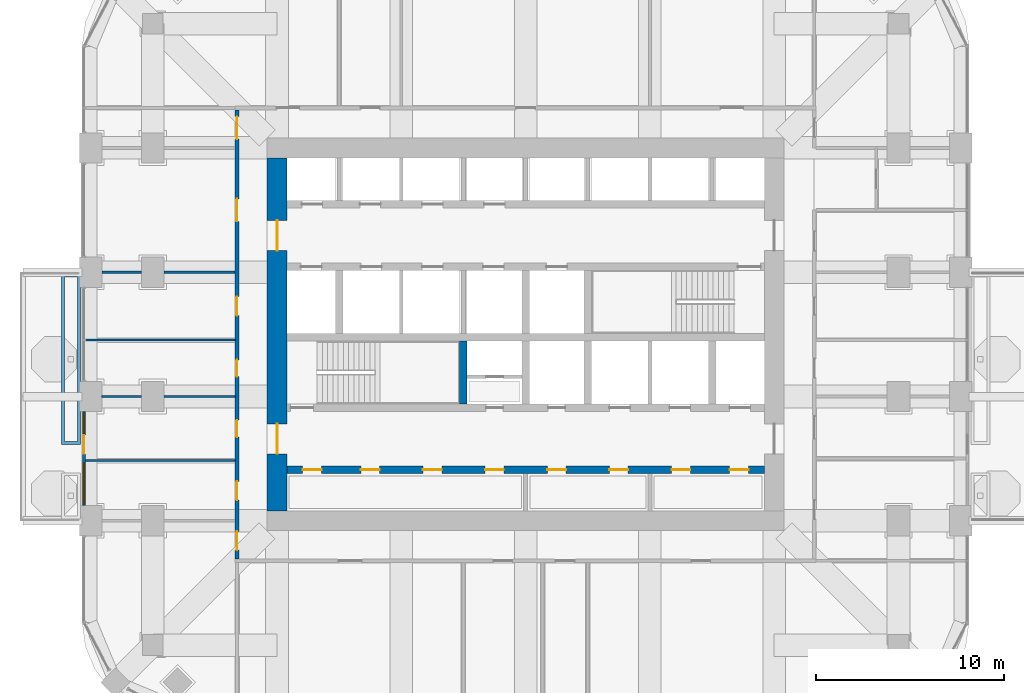
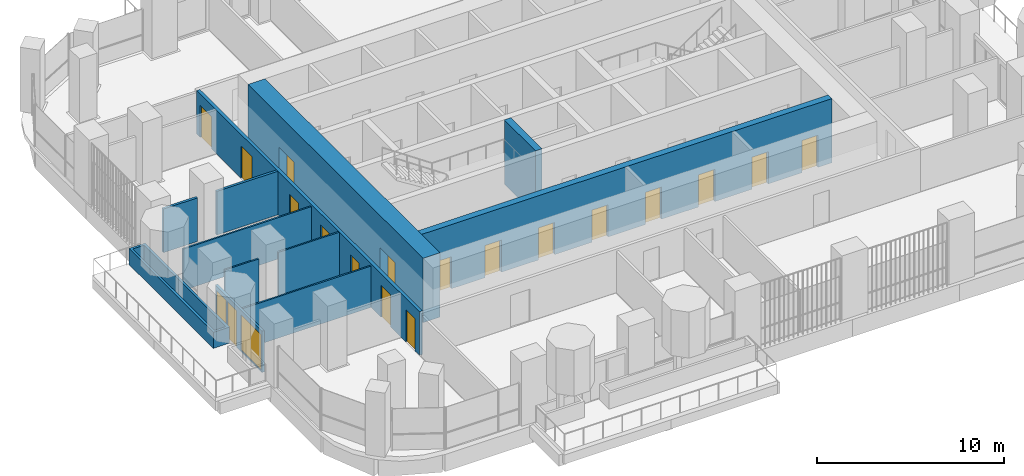
# One storey, part 12 of 20: 18 doors, 12 walls, 2 windows, 20 openings.
"""IFC4 building model written with IfcOpenShell, lengths in metres."""

import ifcopenshell
import ifcopenshell.guid

model = None  # the IFC model being written
_history = None  # IfcOwnerHistory: only IFC2X3 demands one
_inside = {}  # id of a spatial element -> (the spatial element, [elements in it])
_under = {}  # id of a project, library or spatial element -> (it, [spatial elements below it])
_declared = {}  # id of a project -> (the project, [libraries it declares])
_typed = {}  # id of a type object -> (the type object, [elements of that type])
_made_of = {}  # id of a material, layer set ... -> (it, [elements and type objects made of it])


def new_model(schema):
    """Start an empty IFC model of exactly this schema.

    Asked for "IFC4X3", IfcOpenShell would pick the latest addendum, in which some entities
    have other attributes; the version numbers below select the first issue.
    IFC2X3 requires an IfcOwnerHistory on every rooted entity: one is made here for all.
    """
    global model, _history
    if schema == "IFC4X3":
        model = ifcopenshell.file(schema_version=(4, 3, 0, 0))
    else:
        model = ifcopenshell.file(schema=schema)
    _inside.clear()
    _under.clear()
    _declared.clear()
    _typed.clear()
    _made_of.clear()
    _history = None
    if model.schema == "IFC2X3":
        org = make("IfcOrganization", Name="unknown")
        user = make(
            "IfcPersonAndOrganization",
            ThePerson=make("IfcPerson", FamilyName="unknown"),
            TheOrganization=org,
        )
        app = make(
            "IfcApplication",
            ApplicationDeveloper=org,
            Version="unknown",
            ApplicationFullName="unknown",
            ApplicationIdentifier="unknown",
        )
        _history = make(
            "IfcOwnerHistory",
            OwningUser=user,
            OwningApplication=app,
            ChangeAction="ADDED",
            CreationDate=0,
        )
    return model


def make(cls, **values):
    """One entity of the class cls with the attributes given. An attribute that is None is left unset."""
    return model.create_entity(
        cls, **{name: value for name, value in values.items() if value is not None}
    )


def rooted(cls, **values):
    """An entity with a GlobalId (a new one), such as an element, a storey or a relation."""
    return make(cls, GlobalId=ifcopenshell.guid.new(), OwnerHistory=_history, **values)


def si_unit(unit_type, name, prefix=None):
    """IfcSIUnit, for example si_unit("LENGTHUNIT", "METRE", prefix="MILLI")."""
    return make("IfcSIUnit", UnitType=unit_type, Prefix=prefix, Name=name)


def assignment(units):
    """IfcUnitAssignment: the units of a project."""
    return None if units is None else make("IfcUnitAssignment", Units=units)


def point(xyz):
    """IfcCartesianPoint."""
    return None if xyz is None else make("IfcCartesianPoint", Coordinates=xyz)


def direction(xyz):
    """IfcDirection."""
    return None if xyz is None else make("IfcDirection", DirectionRatios=xyz)


def frame(location, z_axis=None, x_axis=None):
    """IfcAxis2Placement3D, a coordinate frame: its origin and axes. An axis left out is left unset."""
    return make(
        "IfcAxis2Placement3D",
        Location=point(location),
        Axis=direction(z_axis),
        RefDirection=direction(x_axis),
    )


def frame_2d(location, x_axis=None):
    """IfcAxis2Placement2D, a coordinate frame in the plane: its origin and x axis."""
    return make(
        "IfcAxis2Placement2D", Location=point(location), RefDirection=direction(x_axis)
    )


def origin():
    """The frame at (0, 0, 0) with its axes left unset."""
    return frame((0.0, 0.0, 0.0))


def place(relative_to, where):
    """IfcLocalPlacement: puts the frame where relative to a parent placement (None: the world)."""
    return make(
        "IfcLocalPlacement", PlacementRelTo=relative_to, RelativePlacement=where
    )


def context(
    kind, dimensions, precision=None, world=None, true_north=None, identifier=None
):
    """IfcGeometricRepresentationContext, for example the 3D "Model" context."""
    return make(
        "IfcGeometricRepresentationContext",
        ContextIdentifier=identifier,
        ContextType=kind,
        CoordinateSpaceDimension=dimensions,
        Precision=precision,
        WorldCoordinateSystem=world,
        TrueNorth=true_north,
    )


def subcontext(parent, identifier, kind, view, scale=None):
    """IfcGeometricRepresentationSubContext, for example "Body" below "Model"."""
    return make(
        "IfcGeometricRepresentationSubContext",
        ContextIdentifier=identifier,
        ContextType=kind,
        ParentContext=parent,
        TargetScale=scale,
        TargetView=view,
    )


def project(units=None, contexts=None):
    """IfcProject with its units and contexts."""
    return rooted(
        "IfcProject",
        Name="project",
        RepresentationContexts=contexts,
        UnitsInContext=assignment(units),
    )


def spatial(cls, under=None, at=None, **own):
    """A site, building, storey or space (cls), placed at a placement, below another one or the project."""
    s = rooted(cls, ObjectPlacement=at, **own)
    if under is not None:
        _under.setdefault(under.id(), (under, []))[1].append(s)
    return s


def polyline(points):
    """IfcPolyline through the points."""
    return make("IfcPolyline", Points=[point(p) for p in points])


def profile(cls, at=None, kind="AREA", **sizes):
    """A parametric profile (cls). Its sizes go by their IFC names, for example OverallWidth=200.0."""
    return make(cls, ProfileType=kind, Position=at, **sizes)


def rectangle(**sizes):
    """IfcRectangleProfileDef."""
    return profile("IfcRectangleProfileDef", **sizes)


def outline(outer, holes=None, kind="AREA"):
    """IfcArbitraryClosedProfileDef: a profile drawn as a closed curve; with holes, ...WithVoids."""
    if holes is None:
        return make("IfcArbitraryClosedProfileDef", ProfileType=kind, OuterCurve=outer)
    return make(
        "IfcArbitraryProfileDefWithVoids",
        ProfileType=kind,
        OuterCurve=outer,
        InnerCurves=holes,
    )


def extrude(swept, where, along, depth):
    """IfcExtrudedAreaSolid: the profile swept, set in the frame where, extruded along a direction by depth."""
    return make(
        "IfcExtrudedAreaSolid",
        SweptArea=swept,
        Position=where,
        ExtrudedDirection=direction(along),
        Depth=depth,
    )


def shape(context_of_items, identifier, shape_type, items):
    """IfcShapeRepresentation: the items that make up one representation, for example the "Body"."""
    return make(
        "IfcShapeRepresentation",
        ContextOfItems=context_of_items,
        RepresentationIdentifier=identifier,
        RepresentationType=shape_type,
        Items=items,
    )


def material(Name=None, Category=None):
    """IfcMaterial."""
    return make("IfcMaterial", Name=Name, Category=Category)


def layer(
    of_material, thickness, ventilated=None, Name=None, Category=None, Priority=None
):
    """IfcMaterialLayer: one layer of a wall or slab, of a material (None: an air gap)."""
    return make(
        "IfcMaterialLayer",
        Material=of_material,
        LayerThickness=thickness,
        IsVentilated=ventilated,
        Name=Name,
        Category=Category,
        Priority=Priority,
    )


def layer_set(layers, Name=None):
    """IfcMaterialLayerSet."""
    return make("IfcMaterialLayerSet", MaterialLayers=layers, LayerSetName=Name)


def made_of(thing, what):
    """Note that an element or type object is made of a material, layer set ...; save() writes the relation."""
    if what is not None:
        _made_of.setdefault(what.id(), (what, []))[1].append(thing)
    return thing


def type_object(cls, material=None, **own):
    """A type object (cls), such as IfcWallType, which elements share."""
    return made_of(rooted(cls, **own), material)


def element(
    cls,
    number,
    at=None,
    inside=None,
    cuts=None,
    type_object=None,
    material=None,
    context=None,
    identifier="Body",
    shape_type=None,
    held_by="IfcProductDefinitionShape",
    body=None,
    shapes=None,
    **own,
):
    """One element of the class cls, such as IfcWall. Its Tag is "e" and its number.

    at: its placement. inside: the storey or other place that contains it. cuts: it is an
    opening in that element (IfcRelVoidsElement). A single representation is given by context,
    identifier, shape_type and body (its items); several are given by shapes. held_by: the class
    of the entity that holds the representations. save() writes the other relations.
    """
    e = rooted(cls, Tag="e%d" % number, ObjectPlacement=at, **own)
    if body is not None:
        shapes = [shape(context, identifier, shape_type, body)]
    if shapes is not None:
        e.Representation = make(held_by, Representations=shapes)
    if inside is not None:
        _inside.setdefault(inside.id(), (inside, []))[1].append(e)
    if cuts is not None:
        rooted(
            "IfcRelVoidsElement", RelatingBuildingElement=cuts, RelatedOpeningElement=e
        )
    if type_object is not None:
        _typed.setdefault(type_object.id(), (type_object, []))[1].append(e)
    return made_of(e, material)


def fill(opening, filler):
    """IfcRelFillsElement: the door or window that sits in an opening."""
    return rooted(
        "IfcRelFillsElement",
        RelatingOpeningElement=opening,
        RelatedBuildingElement=filler,
    )


def aggregate(whole, parts):
    """IfcRelAggregates: a whole, such as a stair, and the parts it consists of."""
    return rooted("IfcRelAggregates", RelatingObject=whole, RelatedObjects=parts)


def save(model, path):
    """Write the relations noted so far, then the file.

    IfcRelAggregates (storeys below a building ...), IfcRelContainedInSpatialStructure (elements
    in a storey), IfcRelDefinesByType, IfcRelAssociatesMaterial and IfcRelDeclares: one each for
    every whole, place, type object, material and project.
    """
    for whole, parts in _under.values():
        aggregate(whole, parts)
    for where, things in _inside.values():
        rooted(
            "IfcRelContainedInSpatialStructure",
            RelatedElements=things,
            RelatingStructure=where,
        )
    for kind, things in _typed.values():
        rooted("IfcRelDefinesByType", RelatedObjects=things, RelatingType=kind)
    for what, things in _made_of.values():
        rooted("IfcRelAssociatesMaterial", RelatedObjects=things, RelatingMaterial=what)
    for by, libraries in _declared.values():
        rooted("IfcRelDeclares", RelatingContext=by, RelatedDefinitions=libraries)
    model.write(path)


model = new_model("IFC4")

# Units and contexts
model_context = context("Model", 3, precision=1e-05, world=origin(), true_north=direction((0.0, 1.0)))
body_context = subcontext(model_context, "Body", "Model", "MODEL_VIEW")
ifc_project = project(units=[si_unit("LENGTHUNIT", "METRE"), si_unit("AREAUNIT", "SQUARE_METRE"), si_unit("VOLUMEUNIT", "CUBIC_METRE"), si_unit("PLANEANGLEUNIT", "RADIAN"), si_unit("MASSUNIT", "GRAM", prefix="KILO")], contexts=[model_context])

# Site, building, storey
site_placement = place(None, origin())
site = spatial("IfcSite", under=ifc_project, at=site_placement, CompositionType="ELEMENT")
building_placement = place(site_placement, origin())
building = spatial("IfcBuilding", under=site, at=building_placement, Name="Cobogo Forest Laboratory Tower", CompositionType="ELEMENT")
storey_placement = place(building_placement, frame((0.0, 0.0, 193.5)))
storey = spatial("IfcBuildingStorey", under=building, at=storey_placement, Name="L44", CompositionType="ELEMENT", Elevation=193.5)

# Wall, openings, doors
ifc_material_1 = material(Name="Concrete HA-50 (C50/60)", Category="concrete")
ifc_layer_1 = layer(ifc_material_1, 0.39990234375)
ifc_layer_set_1 = layer_set([ifc_layer_1], Name="CI400 core inner wall 400")
wall_type_1 = type_object("IfcWallType", Name="CI400 core inner wall 400", PredefinedType="SHEAR", material=ifc_layer_set_1)
wall_1_placement = place(storey_placement, frame((13.72509765625, 15.89990234375, 0.0), z_axis=(0.0, 0.0, 1.0), x_axis=(1.0, 0.0, 0.0)))
wall_1 = element("IfcWall", 1, at=wall_1_placement, inside=storey, type_object=wall_type_1, Name="Core wall CI-15.9 L44", PredefinedType="SHEAR", context=body_context, shape_type="SweptSolid", body=[
    extrude(rectangle(XDim=25.349853515625, YDim=0.39990234375, at=frame_2d((12.6748046875, 0.0))), origin(), (0.0, 0.0, 1.0), 4.199951171875),
])
opening_1_placement = place(wall_1_placement, frame((0.83740234375, 0.0, 0.0)))
opening_1 = element("IfcOpeningElement", 2, at=opening_1_placement, cuts=wall_1, Name="Opening L44-D09", PredefinedType="OPENING", context=body_context, shape_type="SweptSolid", body=[
    extrude(rectangle(XDim=1.0, YDim=2.10009765625, at=frame_2d((0.5, 1.050048828125))), frame((0.0, 0.2099609375, 0.0), z_axis=(0.0, -1.0, 0.0), x_axis=(1.0, 0.0, 0.0)), (0.0, 0.0, 1.0), 0.419921875),
])
opening_2_placement = place(wall_1_placement, frame((3.925048828125, 0.0, 0.0)))
opening_2 = element("IfcOpeningElement", 3, at=opening_2_placement, cuts=wall_1, Name="Opening L44-D10", PredefinedType="OPENING", context=body_context, shape_type="SweptSolid", body=[
    extrude(rectangle(XDim=1.0, YDim=2.10009765625, at=frame_2d((0.5, 1.050048828125))), frame((0.0, 0.2099609375, 0.0), z_axis=(0.0, -1.0, 0.0), x_axis=(1.0, 0.0, 0.0)), (0.0, 0.0, 1.0), 0.419921875),
])
opening_3_placement = place(wall_1_placement, frame((7.22509765625, 0.0, 0.0)))
opening_3 = element("IfcOpeningElement", 4, at=opening_3_placement, cuts=wall_1, Name="Opening L44-D11", PredefinedType="OPENING", context=body_context, shape_type="SweptSolid", body=[
    extrude(rectangle(XDim=1.0, YDim=2.10009765625, at=frame_2d((0.5, 1.050048828125))), frame((0.0, 0.2099609375, 0.0), z_axis=(0.0, -1.0, 0.0), x_axis=(1.0, 0.0, 0.0)), (0.0, 0.0, 1.0), 0.419921875),
])
opening_4_placement = place(wall_1_placement, frame((10.52490234375, 0.0, 0.0)))
opening_4 = element("IfcOpeningElement", 5, at=opening_4_placement, cuts=wall_1, Name="Opening L44-D12", PredefinedType="OPENING", context=body_context, shape_type="SweptSolid", body=[
    extrude(rectangle(XDim=1.0, YDim=2.10009765625, at=frame_2d((0.5, 1.050048828125))), frame((0.0, 0.2099609375, 0.0), z_axis=(0.0, -1.0, 0.0), x_axis=(1.0, 0.0, 0.0)), (0.0, 0.0, 1.0), 0.419921875),
])
opening_5_placement = place(wall_1_placement, frame((13.824951171875, 0.0, 0.0)))
opening_5 = element("IfcOpeningElement", 6, at=opening_5_placement, cuts=wall_1, Name="Opening L44-D13", PredefinedType="OPENING", context=body_context, shape_type="SweptSolid", body=[
    extrude(rectangle(XDim=1.0, YDim=2.10009765625, at=frame_2d((0.5, 1.050048828125))), frame((0.0, 0.2099609375, 0.0), z_axis=(0.0, -1.0, 0.0), x_axis=(1.0, 0.0, 0.0)), (0.0, 0.0, 1.0), 0.419921875),
])
opening_6_placement = place(wall_1_placement, frame((17.125, 0.0, 0.0)))
opening_6 = element("IfcOpeningElement", 7, at=opening_6_placement, cuts=wall_1, Name="Opening L44-D14", PredefinedType="OPENING", context=body_context, shape_type="SweptSolid", body=[
    extrude(rectangle(XDim=1.0, YDim=2.10009765625, at=frame_2d((0.5, 1.050048828125))), frame((0.0, 0.2099609375, 0.0), z_axis=(0.0, -1.0, 0.0), x_axis=(1.0, 0.0, 0.0)), (0.0, 0.0, 1.0), 0.419921875),
])
opening_7_placement = place(wall_1_placement, frame((20.425048828125, 0.0, 0.0)))
opening_7 = element("IfcOpeningElement", 8, at=opening_7_placement, cuts=wall_1, Name="Opening L44-D15", PredefinedType="OPENING", context=body_context, shape_type="SweptSolid", body=[
    extrude(rectangle(XDim=1.0, YDim=2.10009765625, at=frame_2d((0.5, 1.050048828125))), frame((0.0, 0.2099609375, 0.0), z_axis=(0.0, -1.0, 0.0), x_axis=(1.0, 0.0, 0.0)), (0.0, 0.0, 1.0), 0.419921875),
])
opening_8_placement = place(wall_1_placement, frame((23.512451171875, 0.0, 0.0)))
opening_8 = element("IfcOpeningElement", 9, at=opening_8_placement, cuts=wall_1, Name="Opening L44-D16", PredefinedType="OPENING", context=body_context, shape_type="SweptSolid", body=[
    extrude(rectangle(XDim=1.0, YDim=2.10009765625, at=frame_2d((0.5, 1.050048828125))), frame((0.0, 0.2099609375, 0.0), z_axis=(0.0, -1.0, 0.0), x_axis=(1.0, 0.0, 0.0)), (0.0, 0.0, 1.0), 0.419921875),
])
ifc_material_2 = material(Name="Steel fire door", Category="steel")
door_type_1 = type_object("IfcDoorType", Name="FD1 fire door 1000 EI2 60", OperationType="SINGLE_SWING_LEFT", PredefinedType="DOOR", material=ifc_material_2)
door_1_placement = place(opening_1_placement, origin())
door_1 = element("IfcDoor", 10, at=door_1_placement, inside=storey, type_object=door_type_1, Name="Door L44-SH-LA1", OperationType="SINGLE_SWING_LEFT", OverallHeight=2.10009765625, OverallWidth=1.0, PredefinedType="DOOR", context=body_context, shape_type="SweptSolid", body=[
    extrude(rectangle(XDim=1.0, YDim=2.10009765625, at=frame_2d((0.5, 1.050048828125))), frame((0.0, 0.02490234375, 0.0), z_axis=(0.0, -1.0, 0.0), x_axis=(1.0, 0.0, 0.0)), (0.0, 0.0, 1.0), 0.050048828125),
])
fill(opening_1, door_1)
door_2_placement = place(opening_2_placement, origin())
door_2 = element("IfcDoor", 11, at=door_2_placement, inside=storey, type_object=door_type_1, Name="Door L44-SH-LA2", OperationType="SINGLE_SWING_LEFT", OverallHeight=2.10009765625, OverallWidth=1.0, PredefinedType="DOOR", context=body_context, shape_type="SweptSolid", body=[
    extrude(rectangle(XDim=1.0, YDim=2.10009765625, at=frame_2d((0.5, 1.050048828125))), frame((0.0, 0.02490234375, 0.0), z_axis=(0.0, -1.0, 0.0), x_axis=(1.0, 0.0, 0.0)), (0.0, 0.0, 1.0), 0.050048828125),
])
fill(opening_2, door_2)
door_3_placement = place(opening_3_placement, origin())
door_3 = element("IfcDoor", 12, at=door_3_placement, inside=storey, type_object=door_type_1, Name="Door L44-SH-LA3", OperationType="SINGLE_SWING_LEFT", OverallHeight=2.10009765625, OverallWidth=1.0, PredefinedType="DOOR", context=body_context, shape_type="SweptSolid", body=[
    extrude(rectangle(XDim=1.0, YDim=2.10009765625, at=frame_2d((0.5, 1.050048828125))), frame((0.0, 0.02490234375, 0.0), z_axis=(0.0, -1.0, 0.0), x_axis=(1.0, 0.0, 0.0)), (0.0, 0.0, 1.0), 0.050048828125),
])
fill(opening_3, door_3)
door_4_placement = place(opening_4_placement, origin())
door_4 = element("IfcDoor", 13, at=door_4_placement, inside=storey, type_object=door_type_1, Name="Door L44-SH-LA4", OperationType="SINGLE_SWING_LEFT", OverallHeight=2.10009765625, OverallWidth=1.0, PredefinedType="DOOR", context=body_context, shape_type="SweptSolid", body=[
    extrude(rectangle(XDim=1.0, YDim=2.10009765625, at=frame_2d((0.5, 1.050048828125))), frame((0.0, 0.02490234375, 0.0), z_axis=(0.0, -1.0, 0.0), x_axis=(1.0, 0.0, 0.0)), (0.0, 0.0, 1.0), 0.050048828125),
])
fill(opening_4, door_4)
door_5_placement = place(opening_5_placement, origin())
door_5 = element("IfcDoor", 14, at=door_5_placement, inside=storey, type_object=door_type_1, Name="Door L44-SH-LB1", OperationType="SINGLE_SWING_RIGHT", OverallHeight=2.10009765625, OverallWidth=1.0, PredefinedType="DOOR", context=body_context, shape_type="SweptSolid", body=[
    extrude(rectangle(XDim=1.0, YDim=2.10009765625, at=frame_2d((0.5, 1.050048828125))), frame((0.0, 0.02490234375, 0.0), z_axis=(0.0, -1.0, 0.0), x_axis=(1.0, 0.0, 0.0)), (0.0, 0.0, 1.0), 0.050048828125),
])
fill(opening_5, door_5)
door_6_placement = place(opening_6_placement, origin())
door_6 = element("IfcDoor", 15, at=door_6_placement, inside=storey, type_object=door_type_1, Name="Door L44-SH-LB2", OperationType="SINGLE_SWING_RIGHT", OverallHeight=2.10009765625, OverallWidth=1.0, PredefinedType="DOOR", context=body_context, shape_type="SweptSolid", body=[
    extrude(rectangle(XDim=1.0, YDim=2.10009765625, at=frame_2d((0.5, 1.050048828125))), frame((0.0, 0.02490234375, 0.0), z_axis=(0.0, -1.0, 0.0), x_axis=(1.0, 0.0, 0.0)), (0.0, 0.0, 1.0), 0.050048828125),
])
fill(opening_6, door_6)
door_7_placement = place(opening_7_placement, origin())
door_7 = element("IfcDoor", 16, at=door_7_placement, inside=storey, type_object=door_type_1, Name="Door L44-SH-LB3", OperationType="SINGLE_SWING_RIGHT", OverallHeight=2.10009765625, OverallWidth=1.0, PredefinedType="DOOR", context=body_context, shape_type="SweptSolid", body=[
    extrude(rectangle(XDim=1.0, YDim=2.10009765625, at=frame_2d((0.5, 1.050048828125))), frame((0.0, 0.02490234375, 0.0), z_axis=(0.0, -1.0, 0.0), x_axis=(1.0, 0.0, 0.0)), (0.0, 0.0, 1.0), 0.050048828125),
])
fill(opening_7, door_7)
door_8_placement = place(opening_8_placement, origin())
door_8 = element("IfcDoor", 17, at=door_8_placement, inside=storey, type_object=door_type_1, Name="Door L44-SH-LB4", OperationType="SINGLE_SWING_RIGHT", OverallHeight=2.10009765625, OverallWidth=1.0, PredefinedType="DOOR", context=body_context, shape_type="SweptSolid", body=[
    extrude(rectangle(XDim=1.0, YDim=2.10009765625, at=frame_2d((0.5, 1.050048828125))), frame((0.0, 0.02490234375, 0.0), z_axis=(0.0, -1.0, 0.0), x_axis=(1.0, 0.0, 0.0)), (0.0, 0.0, 1.0), 0.050048828125),
])
fill(opening_8, door_8)

# Wall
wall_2_placement = place(storey_placement, frame((23.10009765625, 19.39990234375, 0.0), z_axis=(0.0, 0.0, 1.0), x_axis=(0.0, 1.0, 0.0)))
element("IfcWall", 18, at=wall_2_placement, inside=storey, type_object=wall_type_1, Name="Core wall CX-23.1 L44", PredefinedType="SHEAR", context=body_context, shape_type="SweptSolid", body=[
    extrude(rectangle(XDim=3.35009765625, YDim=0.39990234375, at=frame_2d((1.675048828125, 0.0))), origin(), (0.0, 0.0, 1.0), 4.199951171875),
])

# Wall, openings, doors
ifc_layer_2 = layer(ifc_material_1, 1.050048828125)
ifc_layer_set_2 = layer_set([ifc_layer_2], Name="CW1050 core outer wall 1050")
wall_type_2 = type_object("IfcWallType", Name="CW1050 core outer wall 1050", PredefinedType="SHEAR", material=ifc_layer_set_2)
wall_3_placement = place(storey_placement, frame((13.199951171875, 32.47509765625, 0.0), z_axis=(0.0, 0.0, 1.0), x_axis=(0.0, -1.0, 0.0)))
wall_3 = element("IfcWall", 19, at=wall_3_placement, inside=storey, type_object=wall_type_2, Name="Core wall CO-W L44", PredefinedType="SHEAR", context=body_context, shape_type="SweptSolid", body=[
    extrude(rectangle(XDim=18.75, YDim=1.050048828125, at=frame_2d((9.375, 0.0))), origin(), (0.0, 0.0, 1.0), 4.199951171875),
])
opening_9_placement = place(wall_3_placement, frame((14.125, 0.0, 0.0)))
opening_9 = element("IfcOpeningElement", 20, at=opening_9_placement, cuts=wall_3, Name="Opening L44-D19", PredefinedType="OPENING", context=body_context, shape_type="SweptSolid", body=[
    extrude(rectangle(XDim=1.60009765625, YDim=2.10009765625, at=frame_2d((0.800048828125, 1.050048828125))), frame((0.0, 0.534912109375, 0.0), z_axis=(0.0, -1.0, 0.0), x_axis=(1.0, 0.0, 0.0)), (0.0, 0.0, 1.0), 1.070068359375),
])
opening_10_placement = place(wall_3_placement, frame((3.324951171875, 0.0, 0.0)))
opening_10 = element("IfcOpeningElement", 21, at=opening_10_placement, cuts=wall_3, Name="Opening L44-D33", PredefinedType="OPENING", context=body_context, shape_type="SweptSolid", body=[
    extrude(rectangle(XDim=1.60009765625, YDim=2.10009765625, at=frame_2d((0.800048828125, 1.050048828125))), frame((0.0, 0.534912109375, 0.0), z_axis=(0.0, -1.0, 0.0), x_axis=(1.0, 0.0, 0.0)), (0.0, 0.0, 1.0), 1.070068359375),
])
door_type_2 = type_object("IfcDoorType", Name="DS2 protected lobby door pair 1600 EI2 60", OperationType="DOUBLE_DOOR_DOUBLE_SWING", PredefinedType="DOOR", material=ifc_material_2)
door_9_placement = place(opening_9_placement, origin())
door_9 = element("IfcDoor", 22, at=door_9_placement, inside=storey, type_object=door_type_2, Name="Door L44-CO-W-S", OperationType="DOUBLE_DOOR_DOUBLE_SWING", OverallHeight=2.10009765625, OverallWidth=1.60009765625, PredefinedType="DOOR", context=body_context, shape_type="SweptSolid", body=[
    extrude(rectangle(XDim=1.60009765625, YDim=2.10009765625, at=frame_2d((0.800048828125, 1.050048828125))), frame((0.0, 0.02490234375, 0.0), z_axis=(0.0, -1.0, 0.0), x_axis=(1.0, 0.0, 0.0)), (0.0, 0.0, 1.0), 0.050048828125),
])
fill(opening_9, door_9)
door_10_placement = place(opening_10_placement, origin())
door_10 = element("IfcDoor", 23, at=door_10_placement, inside=storey, type_object=door_type_2, Name="Door L44-CO-W-N", OperationType="DOUBLE_DOOR_DOUBLE_SWING", OverallHeight=2.10009765625, OverallWidth=1.60009765625, PredefinedType="DOOR", context=body_context, shape_type="SweptSolid", body=[
    extrude(rectangle(XDim=1.60009765625, YDim=2.10009765625, at=frame_2d((0.800048828125, 1.050048828125))), frame((0.0, 0.02490234375, 0.0), z_axis=(0.0, -1.0, 0.0), x_axis=(1.0, 0.0, 0.0)), (0.0, 0.0, 1.0), 0.050048828125),
])
fill(opening_10, door_10)

# Wall, openings, door, windows
ifc_material_3 = material(Name="Aluminium framed glazed screen", Category="aluminium")
ifc_layer_3 = layer(ifc_material_3, 0.14990234375)
ifc_layer_set_3 = layer_set([ifc_layer_3], Name="GS1 glazed door screen 150")
wall_type_3 = type_object("IfcWallType", Name="GS1 glazed door screen 150", PredefinedType="SOLIDWALL", material=ifc_layer_set_3)
wall_4_placement = place(storey_placement, frame((2.949951171875, 19.0, 0.0), z_axis=(0.0, 0.0, 1.0), x_axis=(0.0, -1.0, 0.0)))
wall_4 = element("IfcWall", 24, at=wall_4_placement, inside=storey, type_object=wall_type_3, Name="Door screen BAL-W1 L44", PredefinedType="SOLIDWALL", context=body_context, shape_type="SweptSolid", body=[
    extrude(rectangle(XDim=5.0, YDim=0.14990234375, at=frame_2d((2.5, 0.0))), origin(), (0.0, 0.0, 1.0), 2.699951171875),
])
opening_11_placement = place(wall_4_placement, frame((1.25, 0.0, 0.0)))
opening_11 = element("IfcOpeningElement", 25, at=opening_11_placement, cuts=wall_4, Name="Opening L44-D17", PredefinedType="OPENING", context=body_context, shape_type="SweptSolid", body=[
    extrude(rectangle(XDim=1.0, YDim=2.39990234375, at=frame_2d((0.5, 1.199951171875))), frame((0.0, 0.0849609375, 0.0), z_axis=(0.0, -1.0, 0.0), x_axis=(1.0, 0.0, 0.0)), (0.0, 0.0, 1.0), 0.169921875),
])
opening_12_placement = place(wall_4_placement, frame((0.10009765625, 0.0, 0.10009765625)))
opening_12 = element("IfcOpeningElement", 26, at=opening_12_placement, cuts=wall_4, Name="Opening L44-W05", PredefinedType="OPENING", context=body_context, shape_type="SweptSolid", body=[
    extrude(rectangle(XDim=1.050048828125, YDim=2.300048828125, at=frame_2d((0.52490234375, 1.14990234375))), frame((0.0, 0.0849609375, 0.0), z_axis=(0.0, -1.0, 0.0), x_axis=(1.0, 0.0, 0.0)), (0.0, 0.0, 1.0), 0.169921875),
])
opening_13_placement = place(wall_4_placement, frame((2.75, 0.0, 0.10009765625)))
opening_13 = element("IfcOpeningElement", 27, at=opening_13_placement, cuts=wall_4, Name="Opening L44-W03", PredefinedType="OPENING", context=body_context, shape_type="SweptSolid", body=[
    extrude(rectangle(XDim=2.14990234375, YDim=2.300048828125, at=frame_2d((1.074951171875, 1.14990234375))), frame((0.0, 0.0849609375, 0.0), z_axis=(0.0, -1.0, 0.0), x_axis=(1.0, 0.0, 0.0)), (0.0, 0.0, 1.0), 0.169921875),
])
ifc_material_4 = material(Name="Aluminium glazed door", Category="aluminium")
door_type_3 = type_object("IfcDoorType", Name="DB1 balcony door 1000 glazed", OperationType="SINGLE_SWING_LEFT", PredefinedType="DOOR", material=ifc_material_4)
door_11_placement = place(opening_11_placement, origin())
door_11 = element("IfcDoor", 28, at=door_11_placement, inside=storey, type_object=door_type_3, Name="Door L44-BAL-W1", OperationType="SINGLE_SWING_LEFT", OverallHeight=2.39990234375, OverallWidth=1.0, PredefinedType="DOOR", context=body_context, shape_type="SweptSolid", body=[
    extrude(rectangle(XDim=1.0, YDim=2.39990234375, at=frame_2d((0.5, 1.199951171875))), frame((0.0, 0.02490234375, 0.0), z_axis=(0.0, -1.0, 0.0), x_axis=(1.0, 0.0, 0.0)), (0.0, 0.0, 1.0), 0.050048828125),
])
fill(opening_11, door_11)
ifc_material_5 = material(Name="Aluminium framed glazing", Category="aluminium")
window_type_1 = type_object("IfcWindowType", Name="WG13 fixed glazed light 2150x2300", PartitioningType="SINGLE_PANEL", PredefinedType="WINDOW", material=ifc_material_5)
window_1_placement = place(opening_13_placement, origin())
window_1 = element("IfcWindow", 29, at=window_1_placement, inside=storey, type_object=window_type_1, Name="Window L44-BAL-W1-2", OverallHeight=2.300048828125, OverallWidth=2.14990234375, PartitioningType="SINGLE_PANEL", PredefinedType="WINDOW", context=body_context, shape_type="SweptSolid", body=[
    extrude(rectangle(XDim=2.14990234375, YDim=2.300048828125, at=frame_2d((1.074951171875, 1.14990234375))), frame((0.0, 0.030029296875, 0.0), z_axis=(0.0, -1.0, 0.0), x_axis=(1.0, 0.0, 0.0)), (0.0, 0.0, 1.0), 0.06005859375),
])
fill(opening_13, window_1)
window_type_2 = type_object("IfcWindowType", Name="WG14 fixed glazed light 1050x2300", PartitioningType="SINGLE_PANEL", PredefinedType="WINDOW", material=ifc_material_5)
window_2_placement = place(opening_12_placement, origin())
window_2 = element("IfcWindow", 30, at=window_2_placement, inside=storey, type_object=window_type_2, Name="Window L44-BAL-W1-1", OverallHeight=2.300048828125, OverallWidth=1.050048828125, PartitioningType="SINGLE_PANEL", PredefinedType="WINDOW", context=body_context, shape_type="SweptSolid", body=[
    extrude(rectangle(XDim=1.050048828125, YDim=2.300048828125, at=frame_2d((0.52490234375, 1.14990234375))), frame((0.0, 0.030029296875, 0.0), z_axis=(0.0, -1.0, 0.0), x_axis=(1.0, 0.0, 0.0)), (0.0, 0.0, 1.0), 0.06005859375),
])
fill(opening_12, window_2)

# Walls
ifc_material_6 = material(Name="Gypsum board on steel studs", Category="steel")
ifc_layer_4 = layer(ifc_material_6, 0.14990234375)
ifc_layer_set_4 = layer_set([ifc_layer_4], Name="PT1 laboratory partition 150")
wall_type_4 = type_object("IfcWallType", Name="PT1 laboratory partition 150", PredefinedType="PARTITIONING", material=ifc_layer_set_4)
wall_5_placement = place(storey_placement, frame((3.89990234375, 26.39990234375, 0.0), z_axis=(0.0, 0.0, 1.0), x_axis=(1.0, 0.0, 0.0)))
element("IfcWall", 31, at=wall_5_placement, inside=storey, type_object=wall_type_4, Name="Partition CUT-W26.4-1 L44", PredefinedType="PARTITIONING", context=body_context, shape_type="SweptSolid", body=[
    extrude(rectangle(XDim=2.10009765625, YDim=0.14990234375, at=frame_2d((1.050048828125, 0.0))), origin(), (0.0, 0.0, 1.0), 2.85009765625),
])
wall_6_placement = place(storey_placement, frame((7.199951171875, 26.39990234375, 0.0), z_axis=(0.0, 0.0, 1.0), x_axis=(1.0, 0.0, 0.0)))
element("IfcWall", 32, at=wall_6_placement, inside=storey, type_object=wall_type_4, Name="Partition CUT-W26.4-2 L44", PredefinedType="PARTITIONING", context=body_context, shape_type="SweptSolid", body=[
    extrude(rectangle(XDim=3.775146484375, YDim=0.14990234375, at=frame_2d((1.8876953125, 0.0))), origin(), (0.0, 0.0, 1.0), 2.85009765625),
])

# Wall, openings, doors
ifc_layer_5 = layer(ifc_material_6, 0.199951171875)
ifc_layer_set_5 = layer_set([ifc_layer_5], Name="PT2 fire-rated corridor partition 200")
wall_type_5 = type_object("IfcWallType", Name="PT2 fire-rated corridor partition 200", PredefinedType="PARTITIONING", material=ifc_layer_set_5)
wall_7_placement = place(storey_placement, frame((11.074951171875, 11.175048828125, 0.0), z_axis=(0.0, 0.0, 1.0), x_axis=(0.0, 1.0, 0.0)))
wall_7 = element("IfcWall", 33, at=wall_7_placement, inside=storey, type_object=wall_type_5, Name="Partition CORR-W L44", PredefinedType="PARTITIONING", context=body_context, shape_type="SweptSolid", body=[
    extrude(rectangle(XDim=23.849853515625, YDim=0.199951171875, at=frame_2d((11.9248046875, 0.0))), origin(), (0.0, 0.0, 1.0), 2.85009765625),
])
opening_14_placement = place(wall_7_placement, frame((0.46240234375, 0.0, 0.0)))
opening_14 = element("IfcOpeningElement", 34, at=opening_14_placement, cuts=wall_7, Name="Opening L44-D06", PredefinedType="OPENING", context=body_context, shape_type="SweptSolid", body=[
    extrude(rectangle(XDim=1.0, YDim=2.10009765625, at=frame_2d((0.5, 1.050048828125))), frame((0.0, 0.10986328125, 0.0), z_axis=(0.0, -1.0, 0.0), x_axis=(1.0, 0.0, 0.0)), (0.0, 0.0, 1.0), 0.219970703125),
])
opening_15_placement = place(wall_7_placement, frame((3.125, 0.0, 0.0)))
opening_15 = element("IfcOpeningElement", 35, at=opening_15_placement, cuts=wall_7, Name="Opening L44-D08", PredefinedType="OPENING", context=body_context, shape_type="SweptSolid", body=[
    extrude(rectangle(XDim=1.0, YDim=2.10009765625, at=frame_2d((0.5, 1.050048828125))), frame((0.0, 0.10986328125, 0.0), z_axis=(0.0, -1.0, 0.0), x_axis=(1.0, 0.0, 0.0)), (0.0, 0.0, 1.0), 0.219970703125),
])
opening_16_placement = place(wall_7_placement, frame((6.47509765625, 0.0, 0.0)))
opening_16 = element("IfcOpeningElement", 36, at=opening_16_placement, cuts=wall_7, Name="Opening L44-D21", PredefinedType="OPENING", context=body_context, shape_type="SweptSolid", body=[
    extrude(rectangle(XDim=0.89990234375, YDim=2.10009765625, at=frame_2d((0.449951171875, 1.050048828125))), frame((0.0, 0.10986328125, 0.0), z_axis=(0.0, -1.0, 0.0), x_axis=(1.0, 0.0, 0.0)), (0.0, 0.0, 1.0), 0.219970703125),
])
opening_17_placement = place(wall_7_placement, frame((9.675048828125, 0.0, 0.0)))
opening_17 = element("IfcOpeningElement", 37, at=opening_17_placement, cuts=wall_7, Name="Opening L44-D27", PredefinedType="OPENING", context=body_context, shape_type="SweptSolid", body=[
    extrude(rectangle(XDim=0.89990234375, YDim=2.10009765625, at=frame_2d((0.449951171875, 1.050048828125))), frame((0.0, 0.10986328125, 0.0), z_axis=(0.0, -1.0, 0.0), x_axis=(1.0, 0.0, 0.0)), (0.0, 0.0, 1.0), 0.219970703125),
])
opening_18_placement = place(wall_7_placement, frame((12.925048828125, 0.0, 0.0)))
opening_18 = element("IfcOpeningElement", 38, at=opening_18_placement, cuts=wall_7, Name="Opening L44-D29", PredefinedType="OPENING", context=body_context, shape_type="SweptSolid", body=[
    extrude(rectangle(XDim=1.0, YDim=2.10009765625, at=frame_2d((0.5, 1.050048828125))), frame((0.0, 0.10986328125, 0.0), z_axis=(0.0, -1.0, 0.0), x_axis=(1.0, 0.0, 0.0)), (0.0, 0.0, 1.0), 0.219970703125),
])
opening_19_placement = place(wall_7_placement, frame((17.925048828125, 0.0, 0.0)))
opening_19 = element("IfcOpeningElement", 39, at=opening_19_placement, cuts=wall_7, Name="Opening L44-D35", PredefinedType="OPENING", context=body_context, shape_type="SweptSolid", body=[
    extrude(rectangle(XDim=1.199951171875, YDim=2.10009765625, at=frame_2d((0.60009765625, 1.050048828125))), frame((0.0, 0.10986328125, 0.0), z_axis=(0.0, -1.0, 0.0), x_axis=(1.0, 0.0, 0.0)), (0.0, 0.0, 1.0), 0.219970703125),
])
opening_20_placement = place(wall_7_placement, frame((22.28759765625, 0.0, 0.0)))
opening_20 = element("IfcOpeningElement", 40, at=opening_20_placement, cuts=wall_7, Name="Opening L44-D37", PredefinedType="OPENING", context=body_context, shape_type="SweptSolid", body=[
    extrude(rectangle(XDim=1.199951171875, YDim=2.10009765625, at=frame_2d((0.60009765625, 1.050048828125))), frame((0.0, 0.10986328125, 0.0), z_axis=(0.0, -1.0, 0.0), x_axis=(1.0, 0.0, 0.0)), (0.0, 0.0, 1.0), 0.219970703125),
])
ifc_material_7 = material(Name="Timber door", Category="wood")
door_type_4 = type_object("IfcDoorType", Name="D2 laboratory door 1200 unequal pair", OperationType="DOUBLE_DOOR_SINGLE_SWING", PredefinedType="DOOR", material=ifc_material_7)
door_12_placement = place(opening_19_placement, origin())
door_12 = element("IfcDoor", 41, at=door_12_placement, inside=storey, type_object=door_type_4, Name="Door L44-W3", OperationType="DOUBLE_DOOR_SINGLE_SWING", OverallHeight=2.10009765625, OverallWidth=1.199951171875, PredefinedType="DOOR", context=body_context, shape_type="SweptSolid", body=[
    extrude(rectangle(XDim=1.199951171875, YDim=2.10009765625, at=frame_2d((0.60009765625, 1.050048828125))), frame((0.0, 0.02490234375, 0.0), z_axis=(0.0, -1.0, 0.0), x_axis=(1.0, 0.0, 0.0)), (0.0, 0.0, 1.0), 0.050048828125),
])
fill(opening_19, door_12)
door_13_placement = place(opening_20_placement, origin())
door_13 = element("IfcDoor", 42, at=door_13_placement, inside=storey, type_object=door_type_4, Name="Door L44-W4", OperationType="DOUBLE_DOOR_SINGLE_SWING", OverallHeight=2.10009765625, OverallWidth=1.199951171875, PredefinedType="DOOR", context=body_context, shape_type="SweptSolid", body=[
    extrude(rectangle(XDim=1.199951171875, YDim=2.10009765625, at=frame_2d((0.60009765625, 1.050048828125))), frame((0.0, 0.02490234375, 0.0), z_axis=(0.0, -1.0, 0.0), x_axis=(1.0, 0.0, 0.0)), (0.0, 0.0, 1.0), 0.050048828125),
])
fill(opening_20, door_13)
ifc_material_8 = material(Name="Timber fire door", Category="wood")
door_type_5 = type_object("IfcDoorType", Name="FD2 fire door 1000 EI2 30", OperationType="SINGLE_SWING_LEFT", PredefinedType="DOOR", material=ifc_material_8)
door_14_placement = place(opening_14_placement, origin())
door_14 = element("IfcDoor", 43, at=door_14_placement, inside=storey, type_object=door_type_5, Name="Door L44-W1", OperationType="SINGLE_SWING_LEFT", OverallHeight=2.10009765625, OverallWidth=1.0, PredefinedType="DOOR", context=body_context, shape_type="SweptSolid", body=[
    extrude(rectangle(XDim=1.0, YDim=2.10009765625, at=frame_2d((0.5, 1.050048828125))), frame((0.0, 0.02490234375, 0.0), z_axis=(0.0, -1.0, 0.0), x_axis=(1.0, 0.0, 0.0)), (0.0, 0.0, 1.0), 0.050048828125),
])
fill(opening_14, door_14)
door_15_placement = place(opening_18_placement, origin())
door_15 = element("IfcDoor", 44, at=door_15_placement, inside=storey, type_object=door_type_5, Name="Door L44-SHW", OperationType="SINGLE_SWING_RIGHT", OverallHeight=2.10009765625, OverallWidth=1.0, PredefinedType="DOOR", context=body_context, shape_type="SweptSolid", body=[
    extrude(rectangle(XDim=1.0, YDim=2.10009765625, at=frame_2d((0.5, 1.050048828125))), frame((0.0, 0.02490234375, 0.0), z_axis=(0.0, -1.0, 0.0), x_axis=(1.0, 0.0, 0.0)), (0.0, 0.0, 1.0), 0.050048828125),
])
fill(opening_18, door_15)
door_type_6 = type_object("IfcDoorType", Name="FD3 toilet fire door 900 EI2 30", OperationType="SINGLE_SWING_LEFT", PredefinedType="DOOR", material=ifc_material_8)
door_16_placement = place(opening_16_placement, origin())
door_16 = element("IfcDoor", 45, at=door_16_placement, inside=storey, type_object=door_type_6, Name="Door L44-WCF", OperationType="SINGLE_SWING_LEFT", OverallHeight=2.10009765625, OverallWidth=0.89990234375, PredefinedType="DOOR", context=body_context, shape_type="SweptSolid", body=[
    extrude(rectangle(XDim=0.89990234375, YDim=2.10009765625, at=frame_2d((0.449951171875, 1.050048828125))), frame((0.0, 0.02490234375, 0.0), z_axis=(0.0, -1.0, 0.0), x_axis=(1.0, 0.0, 0.0)), (0.0, 0.0, 1.0), 0.050048828125),
])
fill(opening_16, door_16)
door_17_placement = place(opening_17_placement, origin())
door_17 = element("IfcDoor", 46, at=door_17_placement, inside=storey, type_object=door_type_6, Name="Door L44-WCM", OperationType="SINGLE_SWING_LEFT", OverallHeight=2.10009765625, OverallWidth=0.89990234375, PredefinedType="DOOR", context=body_context, shape_type="SweptSolid", body=[
    extrude(rectangle(XDim=0.89990234375, YDim=2.10009765625, at=frame_2d((0.449951171875, 1.050048828125))), frame((0.0, 0.02490234375, 0.0), z_axis=(0.0, -1.0, 0.0), x_axis=(1.0, 0.0, 0.0)), (0.0, 0.0, 1.0), 0.050048828125),
])
fill(opening_17, door_17)
door_type_7 = type_object("IfcDoorType", Name="FDA1 accessible toilet fire door 1000 EI2 30", OperationType="SINGLE_SWING_RIGHT", PredefinedType="DOOR", material=ifc_material_8)
door_18_placement = place(opening_15_placement, origin())
door_18 = element("IfcDoor", 47, at=door_18_placement, inside=storey, type_object=door_type_7, Name="Door L44-WCA", OperationType="SINGLE_SWING_LEFT", OverallHeight=2.10009765625, OverallWidth=1.0, PredefinedType="DOOR", context=body_context, shape_type="SweptSolid", body=[
    extrude(rectangle(XDim=1.0, YDim=2.10009765625, at=frame_2d((0.5, 1.050048828125))), frame((0.0, 0.02490234375, 0.0), z_axis=(0.0, -1.0, 0.0), x_axis=(1.0, 0.0, 0.0)), (0.0, 0.0, 1.0), 0.050048828125),
])
fill(opening_15, door_18)

# Walls
ifc_layer_6 = layer(ifc_material_6, 0.10009765625)
ifc_layer_set_6 = layer_set([ifc_layer_6], Name="PT3 toilet partition 100")
wall_type_6 = type_object("IfcWallType", Name="PT3 toilet partition 100", PredefinedType="PARTITIONING", material=ifc_layer_set_6)
wall_8_placement = place(storey_placement, frame((3.030029296875, 16.39990234375, 0.0), z_axis=(0.0, 0.0, 1.0), x_axis=(1.0, 0.0, 0.0)))
element("IfcWall", 48, at=wall_8_placement, inside=storey, type_object=wall_type_6, Name="Partition SVC-W1-1 L44", PredefinedType="PARTITIONING", context=body_context, shape_type="SweptSolid", body=[
    extrude(rectangle(XDim=7.945068359375, YDim=0.10009765625, at=frame_2d((3.97265625, 0.0))), origin(), (0.0, 0.0, 1.0), 2.699951171875),
])
wall_9_placement = place(storey_placement, frame((3.89990234375, 19.800048828125, 0.0), z_axis=(0.0, 0.0, 1.0), x_axis=(1.0, 0.0, 0.0)))
element("IfcWall", 49, at=wall_9_placement, inside=storey, type_object=wall_type_6, Name="Partition SVC-W2-1 L44", PredefinedType="PARTITIONING", context=body_context, shape_type="SweptSolid", body=[
    extrude(rectangle(XDim=2.10009765625, YDim=0.10009765625, at=frame_2d((1.050048828125, 0.0))), origin(), (0.0, 0.0, 1.0), 2.85009765625),
])
wall_10_placement = place(storey_placement, frame((7.199951171875, 19.800048828125, 0.0), z_axis=(0.0, 0.0, 1.0), x_axis=(1.0, 0.0, 0.0)))
element("IfcWall", 50, at=wall_10_placement, inside=storey, type_object=wall_type_6, Name="Partition SVC-W2-2 L44", PredefinedType="PARTITIONING", context=body_context, shape_type="SweptSolid", body=[
    extrude(rectangle(XDim=3.775146484375, YDim=0.10009765625, at=frame_2d((1.8876953125, 0.0))), origin(), (0.0, 0.0, 1.0), 2.85009765625),
])
wall_11_placement = place(storey_placement, frame((3.030029296875, 22.800048828125, 0.0), z_axis=(0.0, 0.0, 1.0), x_axis=(1.0, 0.0, 0.0)))
element("IfcWall", 51, at=wall_11_placement, inside=storey, type_object=wall_type_6, Name="Partition SVC-W3-1 L44", PredefinedType="PARTITIONING", context=body_context, shape_type="SweptSolid", body=[
    extrude(rectangle(XDim=7.945068359375, YDim=0.10009765625, at=frame_2d((3.97265625, 0.0))), origin(), (0.0, 0.0, 1.0), 2.699951171875),
])
ifc_material_9 = material(Name="Concrete HA-40 (C40/50)", Category="concrete")
ifc_layer_7 = layer(ifc_material_9, 0.14990234375)
ifc_layer_set_7 = layer_set([ifc_layer_7], Name="Planter box 1000x1050")
wall_type_7 = type_object("IfcWallType", Name="Planter box 1000x1050", PredefinedType="USERDEFINED", material=ifc_layer_set_7)
wall_12_placement = place(storey_placement, origin())
element("IfcWall", 52, at=wall_12_placement, inside=storey, type_object=wall_type_7, Name="Planter BAL-W1-2 L44", ObjectType="PLANTER", PredefinedType="USERDEFINED", context=body_context, shape_type="SweptSolid", body=[
    extrude(outline(polyline([(1.75, 17.25), (2.75, 17.25), (2.75, 26.300048828125), (1.75, 26.300048828125), (1.75, 17.25)]), holes=[polyline([(1.89990234375, 17.39990234375), (2.60009765625, 17.39990234375), (2.60009765625, 26.14990234375), (1.89990234375, 26.14990234375), (1.89990234375, 17.39990234375)])]), origin(), (0.0, 0.0, 1.0), 1.050048828125),
])

save(model, "model.ifc")
